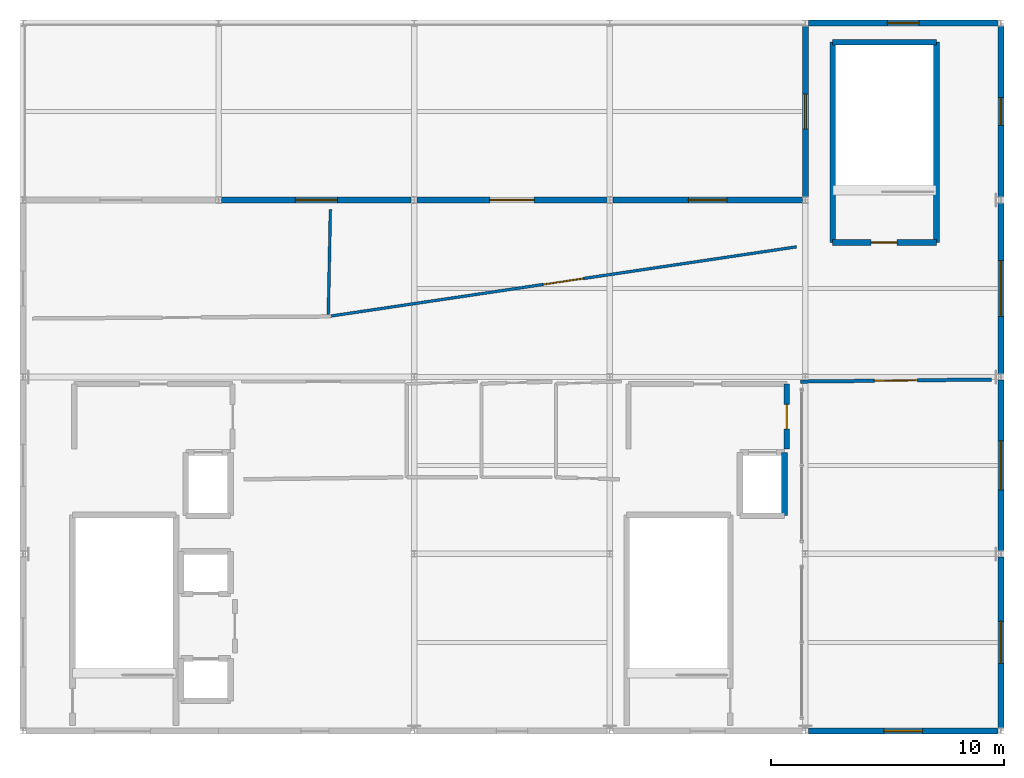
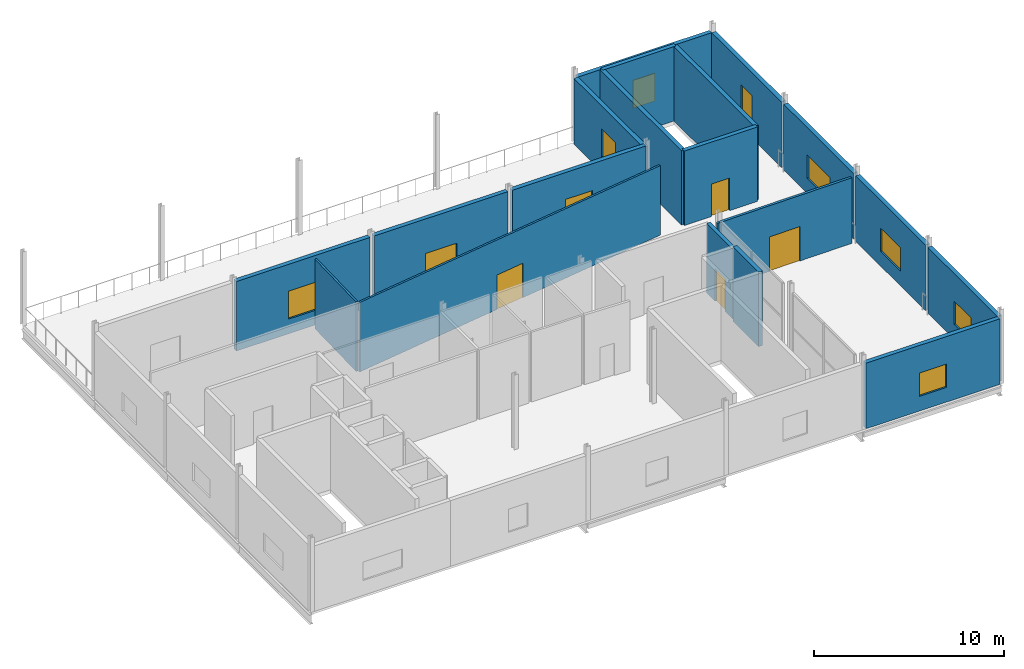
# One storey, part 7 of 8: 19 walls, 9 windows, 5 doors, 14 openings.
"""IFC4 building model written with IfcOpenShell, lengths in metres."""

from ifc_helpers import new_model, si_unit, direction, frame, frame_2d, origin, place, context, subcontext, project, spatial, rectangle, extrude, material, layer, layer_set, type_object, element, fill, save


model = new_model("IFC4")

# Units and contexts
model_context = context("Model", 3, precision=1e-05, world=origin(), true_north=direction((0.0, 1.0)))
body_context = subcontext(model_context, "Body", "Model", "MODEL_VIEW")
ifc_project = project(units=[si_unit("LENGTHUNIT", "METRE"), si_unit("AREAUNIT", "SQUARE_METRE"), si_unit("VOLUMEUNIT", "CUBIC_METRE"), si_unit("PLANEANGLEUNIT", "RADIAN"), si_unit("MASSUNIT", "GRAM", prefix="KILO")], contexts=[model_context])

# Site, building, storey
site_placement = place(None, origin())
site = spatial("IfcSite", under=ifc_project, at=site_placement, CompositionType="ELEMENT")
building_placement = place(site_placement, origin())
building = spatial("IfcBuilding", under=site, at=building_placement, Name="Zuvorla Pavilion Media Centre", CompositionType="ELEMENT")
storey_placement = place(building_placement, frame((0.0, 0.0, 26.39990234375)))
storey = spatial("IfcBuildingStorey", under=building, at=storey_placement, Name="L06", CompositionType="ELEMENT", Elevation=26.39990234375)

# Wall, opening, door
ifc_material_1 = material(Name="Acoustic masonry blockwork C32/40", Category="masonry")
ifc_layer_1 = layer(ifc_material_1, 0.219970703125)
ifc_layer_set_1 = layer_set([ifc_layer_1], Name="Acoustic masonry blockwork C32/40")
wall_type_1 = type_object("IfcWallType", Name="WL-CMP-220", PredefinedType="SOLIDWALL", material=ifc_layer_set_1)
wall_1_placement = place(storey_placement, frame((99.60009765625, 18.10009765625, 0.0), z_axis=(0.0, 0.0, 1.0), x_axis=(0.0, 1.0, 0.0)))
wall_1 = element("IfcWall", 1, at=wall_1_placement, inside=storey, type_object=wall_type_1, Name="L06 solid wall IW22 204", PredefinedType="SOLIDWALL", context=body_context, shape_type="SweptSolid", body=[
    extrude(rectangle(XDim=2.7998046875, YDim=0.219970703125, at=frame_2d((1.39990234375, 0.0))), origin(), (0.0, 0.0, 1.0), 4.47998046875),
])
opening_1_placement = place(wall_1_placement, frame((0.875, 0.0, 0.0)))
opening_1 = element("IfcOpeningElement", 2, at=opening_1_placement, cuts=wall_1, Name="Opening FD04", PredefinedType="OPENING", context=body_context, shape_type="SweptSolid", body=[
    extrude(rectangle(XDim=1.050048828125, YDim=2.10009765625, at=frame_2d((0.52490234375, 1.050048828125))), frame((0.0, 0.119873046875, 0.0), z_axis=(0.0, -1.0, 0.0), x_axis=(1.0, 0.0, 0.0)), (0.0, 0.0, 1.0), 0.239990234375),
])
ifc_material_2 = material(Name="Acoustic timber fire door leaf in steel frame", Category="steel")
door_type_1 = type_object("IfcDoorType", Name="DR-INT-FD04", OperationType="NOTDEFINED", PredefinedType="DOOR", material=ifc_material_2)
door_1_placement = place(opening_1_placement, origin())
door_1 = element("IfcDoor", 3, at=door_1_placement, inside=storey, type_object=door_type_1, Name="Firefighting lobby 2 access door FD04 80", OperationType="SINGLE_SWING_RIGHT", OverallHeight=2.10009765625, OverallWidth=1.050048828125, PredefinedType="DOOR", context=body_context, shape_type="SweptSolid", body=[
    extrude(rectangle(XDim=1.050048828125, YDim=2.10009765625, at=frame_2d((0.52490234375, 1.050048828125))), frame((0.0, 0.02490234375, 0.0), z_axis=(0.0, -1.0, 0.0), x_axis=(1.0, 0.0, 0.0)), (0.0, 0.0, 1.0), 0.050048828125),
])
fill(opening_1, door_1)

# Walls
ifc_material_3 = material(Name="Concrete C40/50", Category="concrete")
ifc_layer_2 = layer(ifc_material_3, 0.25)
ifc_layer_set_2 = layer_set([ifc_layer_2], Name="Concrete C40/50")
wall_type_2 = type_object("IfcWallType", Name="WL-COR-250", PredefinedType="SHEAR", material=ifc_layer_set_2)
wall_2_placement = place(storey_placement, frame((99.510009765625, 15.239990234375, 0.0), z_axis=(0.0, 0.0, 1.0), x_axis=(0.0, 1.0, 0.0)))
element("IfcWall", 4, at=wall_2_placement, inside=storey, type_object=wall_type_2, Name="L06 shear wall CW25 236", PredefinedType="SHEAR", context=body_context, shape_type="SweptSolid", body=[
    extrude(rectangle(XDim=2.719970703125, YDim=0.25, at=frame_2d((1.35986328125, 0.0))), origin(), (0.0, 0.0, 1.0), 4.800048828125),
])
for number, where, z_axis, x_axis, name in (
    (5, (101.574951171875, 26.97509765625, 0.0), (0.0, 0.0, 1.0), (0.0, 1.0, 0.0), "L06 shear wall CW25 329"),
    (6, (106.02490234375, 26.97509765625, 0.0), (0.0, 0.0, 1.0), (0.0, 1.0, 0.0), "L06 shear wall CW25 330"),
):
    element("IfcWall", number, at=place(storey_placement, frame(where, z_axis=z_axis, x_axis=x_axis)), inside=storey, type_object=wall_type_2, Name=name, PredefinedType="SHEAR", context=body_context, shape_type="SweptSolid", body=[
        extrude(rectangle(XDim=8.599853515625, YDim=0.25, at=frame_2d((4.2998046875, 0.0))), origin(), (0.0, 0.0, 1.0), 4.800048828125),
    ])
wall_3_placement = place(storey_placement, frame((101.574951171875, 35.574951171875, 0.0), z_axis=(0.0, 0.0, 1.0), x_axis=(1.0, 0.0, 0.0)))
element("IfcWall", 7, at=wall_3_placement, inside=storey, type_object=wall_type_2, Name="L06 shear wall CW25 331", PredefinedType="SHEAR", context=body_context, shape_type="SweptSolid", body=[
    extrude(rectangle(XDim=4.449951171875, YDim=0.25, at=frame_2d((2.22509765625, 0.0))), origin(), (0.0, 0.0, 1.0), 4.800048828125),
])

# Wall, opening, door
wall_4_placement = place(storey_placement, frame((101.574951171875, 26.97509765625, 0.0), z_axis=(0.0, 0.0, 1.0), x_axis=(1.0, 0.0, 0.0)))
wall_4 = element("IfcWall", 8, at=wall_4_placement, inside=storey, type_object=wall_type_2, Name="L06 shear wall CW25 332", PredefinedType="SHEAR", context=body_context, shape_type="SweptSolid", body=[
    extrude(rectangle(XDim=4.449951171875, YDim=0.25, at=frame_2d((2.22509765625, 0.0))), origin(), (0.0, 0.0, 1.0), 4.800048828125),
])
opening_2_placement = place(wall_4_placement, frame((1.64990234375, 0.0, 0.0)))
opening_2 = element("IfcOpeningElement", 9, at=opening_2_placement, cuts=wall_4, Name="Opening FD05", PredefinedType="OPENING", context=body_context, shape_type="SweptSolid", body=[
    extrude(rectangle(XDim=1.10009765625, YDim=2.10009765625, at=frame_2d((0.550048828125, 1.050048828125))), frame((0.0, 0.135009765625, 0.0), z_axis=(0.0, -1.0, 0.0), x_axis=(1.0, 0.0, 0.0)), (0.0, 0.0, 1.0), 0.27001953125),
])
door_type_2 = type_object("IfcDoorType", Name="DR-INT-FD05", OperationType="NOTDEFINED", PredefinedType="DOOR", material=ifc_material_2)
door_2_placement = place(opening_2_placement, frame((1.10009765625, 0.0, 0.0), z_axis=(0.0, 0.0, 1.0), x_axis=(-1.0, 0.0, 0.0)))
door_2 = element("IfcDoor", 10, at=door_2_placement, inside=storey, type_object=door_type_2, Name="Stair ST-04 fire door FD05 112", OperationType="SINGLE_SWING_RIGHT", OverallHeight=2.10009765625, OverallWidth=1.10009765625, PredefinedType="DOOR", context=body_context, shape_type="SweptSolid", body=[
    extrude(rectangle(XDim=1.10009765625, YDim=2.10009765625, at=frame_2d((0.550048828125, 1.050048828125))), frame((0.0, 0.02490234375, 0.0), z_axis=(0.0, -1.0, 0.0), x_axis=(1.0, 0.0, 0.0)), (0.0, 0.0, 1.0), 0.050048828125),
])
fill(opening_2, door_2)

# Wall, opening, window
ifc_material_4 = material(Name="White rendered concrete C32/40", Category="concrete")
ifc_layer_3 = layer(ifc_material_4, 0.260009765625)
ifc_layer_set_3 = layer_set([ifc_layer_3], Name="White rendered concrete C32/40")
wall_type_3 = type_object("IfcWallType", Name="WL-EXT-260", PredefinedType="SOLIDWALL", material=ifc_layer_set_3)
wall_5_placement = place(storey_placement, frame((100.5283203125, 6.0, 0.0), z_axis=(0.0, 0.0, 1.0), x_axis=(1.0, 0.0, 0.0)))
wall_5 = element("IfcWall", 11, at=wall_5_placement, inside=storey, type_object=wall_type_3, Name="L06 exterior solid wall EW04 324", PredefinedType="SOLIDWALL", context=body_context, shape_type="SweptSolid", body=[
    extrude(rectangle(XDim=8.1435546875, YDim=0.260009765625, at=frame_2d((4.07177734375, 0.0))), origin(), (0.0, 0.0, 1.0), 4.226806640625),
])
opening_3_placement = place(wall_5_placement, frame((3.246826171875, 0.0, 0.949951171875)))
opening_3 = element("IfcOpeningElement", 12, at=opening_3_placement, cuts=wall_5, Name="Opening WN04", PredefinedType="OPENING", context=body_context, shape_type="SweptSolid", body=[
    extrude(rectangle(XDim=1.64990234375, YDim=1.5, at=frame_2d((0.824951171875, 0.75))), frame((0.0, 0.139892578125, 0.0), z_axis=(0.0, -1.0, 0.0), x_axis=(1.0, 0.0, 0.0)), (0.0, 0.0, 1.0), 0.280029296875),
])
ifc_material_5 = material(Name="Anodised aluminium frame with solar double glazing", Category="aluminium")
window_type_1 = type_object("IfcWindowType", Name="WIN-WN04", PartitioningType="SINGLE_PANEL", PredefinedType="WINDOW", material=ifc_material_5)
window_1_placement = place(opening_3_placement, origin())
window_1 = element("IfcWindow", 13, at=window_1_placement, inside=storey, type_object=window_type_1, Name="L06 window WN04 144", OverallHeight=1.5, OverallWidth=1.64990234375, PartitioningType="SINGLE_PANEL", PredefinedType="WINDOW", context=body_context, shape_type="SweptSolid", body=[
    extrude(rectangle(XDim=1.64990234375, YDim=1.5, at=frame_2d((0.824951171875, 0.75))), frame((0.0, 0.030029296875, 0.0), z_axis=(0.0, -1.0, 0.0), x_axis=(1.0, 0.0, 0.0)), (0.0, 0.0, 1.0), 0.06005859375),
])
fill(opening_3, window_1)

wall_6_placement = place(storey_placement, frame((108.800048828125, 6.130126953125, 0.0), z_axis=(0.0, 0.0, 1.0), x_axis=(0.0, 1.0, 0.0)))
wall_6 = element("IfcWall", 14, at=wall_6_placement, inside=storey, type_object=wall_type_3, Name="L06 exterior solid wall EW04 325", PredefinedType="SOLIDWALL", context=body_context, shape_type="SweptSolid", body=[
    extrude(rectangle(XDim=7.339599609375, YDim=0.260009765625, at=frame_2d((3.669921875, 0.0))), origin(), (0.0, 0.0, 1.0), 4.226806640625),
])
opening_4_placement = place(wall_6_placement, frame((2.769775390625, 0.0, 0.949951171875)))
opening_4 = element("IfcOpeningElement", 15, at=opening_4_placement, cuts=wall_6, Name="Opening WN05", PredefinedType="OPENING", context=body_context, shape_type="SweptSolid", body=[
    extrude(rectangle(XDim=1.800048828125, YDim=1.5, at=frame_2d((0.89990234375, 0.75))), frame((0.0, 0.139892578125, 0.0), z_axis=(0.0, -1.0, 0.0), x_axis=(1.0, 0.0, 0.0)), (0.0, 0.0, 1.0), 0.280029296875),
])
window_type_2 = type_object("IfcWindowType", Name="WIN-WN05", PartitioningType="DOUBLE_PANEL_VERTICAL", PredefinedType="WINDOW", material=ifc_material_5)
window_2_placement = place(opening_4_placement, origin())
window_2 = element("IfcWindow", 16, at=window_2_placement, inside=storey, type_object=window_type_2, Name="L06 window WN05 145", OverallHeight=1.5, OverallWidth=1.800048828125, PartitioningType="DOUBLE_PANEL_VERTICAL", PredefinedType="WINDOW", context=body_context, shape_type="SweptSolid", body=[
    extrude(rectangle(XDim=1.800048828125, YDim=1.5, at=frame_2d((0.89990234375, 0.75))), frame((0.0, 0.030029296875, 0.0), z_axis=(0.0, -1.0, 0.0), x_axis=(1.0, 0.0, 0.0)), (0.0, 0.0, 1.0), 0.06005859375),
])
fill(opening_4, window_2)

wall_7_placement = place(storey_placement, frame((108.800048828125, 13.730224609375, 0.0), z_axis=(0.0, 0.0, 1.0), x_axis=(0.0, 1.0, 0.0)))
wall_7 = element("IfcWall", 17, at=wall_7_placement, inside=storey, type_object=wall_type_3, Name="L06 exterior solid wall EW04 326", PredefinedType="SOLIDWALL", context=body_context, shape_type="SweptSolid", body=[
    extrude(rectangle(XDim=7.339599609375, YDim=0.260009765625, at=frame_2d((3.669921875, 0.0))), origin(), (0.0, 0.0, 1.0), 4.226806640625),
])
opening_5_placement = place(wall_7_placement, frame((2.619873046875, 0.0, 0.949951171875)))
opening_5 = element("IfcOpeningElement", 18, at=opening_5_placement, cuts=wall_7, Name="Opening WN06", PredefinedType="OPENING", context=body_context, shape_type="SweptSolid", body=[
    extrude(rectangle(XDim=2.10009765625, YDim=1.5, at=frame_2d((1.050048828125, 0.75))), frame((0.0, 0.139892578125, 0.0), z_axis=(0.0, -1.0, 0.0), x_axis=(1.0, 0.0, 0.0)), (0.0, 0.0, 1.0), 0.280029296875),
])
window_type_3 = type_object("IfcWindowType", Name="WIN-WN06", PartitioningType="DOUBLE_PANEL_VERTICAL", PredefinedType="WINDOW", material=ifc_material_5)
window_3_placement = place(opening_5_placement, origin())
window_3 = element("IfcWindow", 19, at=window_3_placement, inside=storey, type_object=window_type_3, Name="L06 window WN06 146", OverallHeight=1.5, OverallWidth=2.10009765625, PartitioningType="DOUBLE_PANEL_VERTICAL", PredefinedType="WINDOW", context=body_context, shape_type="SweptSolid", body=[
    extrude(rectangle(XDim=2.10009765625, YDim=1.5, at=frame_2d((1.050048828125, 0.75))), frame((0.0, 0.030029296875, 0.0), z_axis=(0.0, -1.0, 0.0), x_axis=(1.0, 0.0, 0.0)), (0.0, 0.0, 1.0), 0.06005859375),
])
fill(opening_5, window_3)

wall_8_placement = place(storey_placement, frame((108.800048828125, 21.330078125, 0.0), z_axis=(0.0, 0.0, 1.0), x_axis=(0.0, 1.0, 0.0)))
wall_8 = element("IfcWall", 20, at=wall_8_placement, inside=storey, type_object=wall_type_3, Name="L06 exterior solid wall EW04 327", PredefinedType="SOLIDWALL", context=body_context, shape_type="SweptSolid", body=[
    extrude(rectangle(XDim=7.33984375, YDim=0.260009765625, at=frame_2d((3.669921875, 0.0))), origin(), (0.0, 0.0, 1.0), 4.226806640625),
])
opening_6_placement = place(wall_8_placement, frame((2.469970703125, 0.0, 0.949951171875)))
opening_6 = element("IfcOpeningElement", 21, at=opening_6_placement, cuts=wall_8, Name="Opening WN07", PredefinedType="OPENING", context=body_context, shape_type="SweptSolid", body=[
    extrude(rectangle(XDim=2.39990234375, YDim=1.5, at=frame_2d((1.199951171875, 0.75))), frame((0.0, 0.139892578125, 0.0), z_axis=(0.0, -1.0, 0.0), x_axis=(1.0, 0.0, 0.0)), (0.0, 0.0, 1.0), 0.280029296875),
])
window_type_4 = type_object("IfcWindowType", Name="WIN-WN07", PartitioningType="DOUBLE_PANEL_VERTICAL", PredefinedType="WINDOW", material=ifc_material_5)
window_4_placement = place(opening_6_placement, origin())
window_4 = element("IfcWindow", 22, at=window_4_placement, inside=storey, type_object=window_type_4, Name="L06 window WN07 147", OverallHeight=1.5, OverallWidth=2.39990234375, PartitioningType="DOUBLE_PANEL_VERTICAL", PredefinedType="WINDOW", context=body_context, shape_type="SweptSolid", body=[
    extrude(rectangle(XDim=2.39990234375, YDim=1.5, at=frame_2d((1.199951171875, 0.75))), frame((0.0, 0.030029296875, 0.0), z_axis=(0.0, -1.0, 0.0), x_axis=(1.0, 0.0, 0.0)), (0.0, 0.0, 1.0), 0.06005859375),
])
fill(opening_6, window_4)

wall_9_placement = place(storey_placement, frame((108.800048828125, 28.93017578125, 0.0), z_axis=(0.0, 0.0, 1.0), x_axis=(0.0, 1.0, 0.0)))
wall_9 = element("IfcWall", 23, at=wall_9_placement, inside=storey, type_object=wall_type_3, Name="L06 exterior solid wall EW04 328", PredefinedType="SOLIDWALL", context=body_context, shape_type="SweptSolid", body=[
    extrude(rectangle(XDim=7.339599609375, YDim=0.260009765625, at=frame_2d((3.669921875, 0.0))), origin(), (0.0, 0.0, 1.0), 4.226806640625),
])
opening_7_placement = place(wall_9_placement, frame((3.06982421875, 0.0, 0.949951171875)))
opening_7 = element("IfcOpeningElement", 24, at=opening_7_placement, cuts=wall_9, Name="Opening WN08", PredefinedType="OPENING", context=body_context, shape_type="SweptSolid", body=[
    extrude(rectangle(XDim=1.199951171875, YDim=1.800048828125, at=frame_2d((0.60009765625, 0.89990234375))), frame((0.0, 0.139892578125, 0.0), z_axis=(0.0, -1.0, 0.0), x_axis=(1.0, 0.0, 0.0)), (0.0, 0.0, 1.0), 0.280029296875),
])
window_type_5 = type_object("IfcWindowType", Name="WIN-WN08", PartitioningType="SINGLE_PANEL", PredefinedType="WINDOW", material=ifc_material_5)
window_5_placement = place(opening_7_placement, origin())
window_5 = element("IfcWindow", 25, at=window_5_placement, inside=storey, type_object=window_type_5, Name="L06 window WN08 148", OverallHeight=1.800048828125, OverallWidth=1.199951171875, PartitioningType="SINGLE_PANEL", PredefinedType="WINDOW", context=body_context, shape_type="SweptSolid", body=[
    extrude(rectangle(XDim=1.199951171875, YDim=1.800048828125, at=frame_2d((0.60009765625, 0.89990234375))), frame((0.0, 0.030029296875, 0.0), z_axis=(0.0, -1.0, 0.0), x_axis=(1.0, 0.0, 0.0)), (0.0, 0.0, 1.0), 0.06005859375),
])
fill(opening_7, window_5)

wall_10_placement = place(storey_placement, frame((108.671875, 36.39990234375, 0.0), z_axis=(0.0, 0.0, 1.0), x_axis=(-1.0, 0.0, 0.0)))
wall_10 = element("IfcWall", 26, at=wall_10_placement, inside=storey, type_object=wall_type_3, Name="L06 exterior solid wall EW04 329", PredefinedType="SOLIDWALL", context=body_context, shape_type="SweptSolid", body=[
    extrude(rectangle(XDim=8.1435546875, YDim=0.260009765625, at=frame_2d((4.07177734375, 0.0))), origin(), (0.0, 0.0, 1.0), 4.226806640625),
])
opening_8_placement = place(wall_10_placement, frame((3.396728515625, 0.0, 0.949951171875)))
opening_8 = element("IfcOpeningElement", 27, at=opening_8_placement, cuts=wall_10, Name="Opening WN09", PredefinedType="OPENING", context=body_context, shape_type="SweptSolid", body=[
    extrude(rectangle(XDim=1.35009765625, YDim=1.800048828125, at=frame_2d((0.675048828125, 0.89990234375))), frame((0.0, 0.139892578125, 0.0), z_axis=(0.0, -1.0, 0.0), x_axis=(1.0, 0.0, 0.0)), (0.0, 0.0, 1.0), 0.280029296875),
])
window_type_6 = type_object("IfcWindowType", Name="WIN-WN09", PartitioningType="SINGLE_PANEL", PredefinedType="WINDOW", material=ifc_material_5)
window_6_placement = place(opening_8_placement, origin())
window_6 = element("IfcWindow", 28, at=window_6_placement, inside=storey, type_object=window_type_6, Name="L06 window WN09 149", OverallHeight=1.800048828125, OverallWidth=1.35009765625, PartitioningType="SINGLE_PANEL", PredefinedType="WINDOW", context=body_context, shape_type="SweptSolid", body=[
    extrude(rectangle(XDim=1.35009765625, YDim=1.800048828125, at=frame_2d((0.675048828125, 0.89990234375))), frame((0.0, 0.030029296875, 0.0), z_axis=(0.0, -1.0, 0.0), x_axis=(1.0, 0.0, 0.0)), (0.0, 0.0, 1.0), 0.06005859375),
])
fill(opening_8, window_6)

wall_11_placement = place(storey_placement, frame((100.39990234375, 36.269775390625, 0.0), z_axis=(0.0, 0.0, 1.0), x_axis=(0.0, -1.0, 0.0)))
wall_11 = element("IfcWall", 29, at=wall_11_placement, inside=storey, type_object=wall_type_3, Name="L06 exterior solid wall EW04 330", PredefinedType="SOLIDWALL", context=body_context, shape_type="SweptSolid", body=[
    extrude(rectangle(XDim=7.339599609375, YDim=0.260009765625, at=frame_2d((3.669921875, 0.0))), origin(), (0.0, 0.0, 1.0), 4.226806640625),
])
opening_9_placement = place(wall_11_placement, frame((2.919921875, 0.0, 0.949951171875)))
opening_9 = element("IfcOpeningElement", 30, at=opening_9_placement, cuts=wall_11, Name="Opening WN10", PredefinedType="OPENING", context=body_context, shape_type="SweptSolid", body=[
    extrude(rectangle(XDim=1.5, YDim=1.800048828125, at=frame_2d((0.75, 0.89990234375))), frame((0.0, 0.139892578125, 0.0), z_axis=(0.0, -1.0, 0.0), x_axis=(1.0, 0.0, 0.0)), (0.0, 0.0, 1.0), 0.280029296875),
])
window_type_7 = type_object("IfcWindowType", Name="WIN-WN10", PartitioningType="SINGLE_PANEL", PredefinedType="WINDOW", material=ifc_material_5)
window_7_placement = place(opening_9_placement, origin())
window_7 = element("IfcWindow", 31, at=window_7_placement, inside=storey, type_object=window_type_7, Name="L06 window WN10 150", OverallHeight=1.800048828125, OverallWidth=1.5, PartitioningType="SINGLE_PANEL", PredefinedType="WINDOW", context=body_context, shape_type="SweptSolid", body=[
    extrude(rectangle(XDim=1.5, YDim=1.800048828125, at=frame_2d((0.75, 0.89990234375))), frame((0.0, 0.030029296875, 0.0), z_axis=(0.0, -1.0, 0.0), x_axis=(1.0, 0.0, 0.0)), (0.0, 0.0, 1.0), 0.06005859375),
])
fill(opening_9, window_7)

wall_12_placement = place(storey_placement, frame((100.27197265625, 28.800048828125, 0.0), z_axis=(0.0, 0.0, 1.0), x_axis=(-1.0, 0.0, 0.0)))
wall_12 = element("IfcWall", 32, at=wall_12_placement, inside=storey, type_object=wall_type_3, Name="L06 exterior solid wall EW04 331", PredefinedType="SOLIDWALL", context=body_context, shape_type="SweptSolid", body=[
    extrude(rectangle(XDim=8.143798828125, YDim=0.260009765625, at=frame_2d((4.07177734375, 0.0))), origin(), (0.0, 0.0, 1.0), 4.47998046875),
])
opening_10_placement = place(wall_12_placement, frame((3.246826171875, 0.0, 0.949951171875)))
opening_10 = element("IfcOpeningElement", 33, at=opening_10_placement, cuts=wall_12, Name="Opening WN11", PredefinedType="OPENING", context=body_context, shape_type="SweptSolid", body=[
    extrude(rectangle(XDim=1.64990234375, YDim=1.800048828125, at=frame_2d((0.824951171875, 0.89990234375))), frame((0.0, 0.139892578125, 0.0), z_axis=(0.0, -1.0, 0.0), x_axis=(1.0, 0.0, 0.0)), (0.0, 0.0, 1.0), 0.280029296875),
])
window_type_8 = type_object("IfcWindowType", Name="WIN-WN11", PartitioningType="SINGLE_PANEL", PredefinedType="WINDOW", material=ifc_material_5)
window_8_placement = place(opening_10_placement, origin())
window_8 = element("IfcWindow", 34, at=window_8_placement, inside=storey, type_object=window_type_8, Name="L06 window WN11 151", OverallHeight=1.800048828125, OverallWidth=1.64990234375, PartitioningType="SINGLE_PANEL", PredefinedType="WINDOW", context=body_context, shape_type="SweptSolid", body=[
    extrude(rectangle(XDim=1.64990234375, YDim=1.800048828125, at=frame_2d((0.824951171875, 0.89990234375))), frame((0.0, 0.030029296875, 0.0), z_axis=(0.0, -1.0, 0.0), x_axis=(1.0, 0.0, 0.0)), (0.0, 0.0, 1.0), 0.06005859375),
])
fill(opening_10, window_8)

# Wall, opening, door
wall_13_placement = place(storey_placement, frame((91.871826171875, 28.800048828125, 0.0), z_axis=(0.0, 0.0, 1.0), x_axis=(-1.0, 0.0, 0.0)))
wall_13 = element("IfcWall", 35, at=wall_13_placement, inside=storey, type_object=wall_type_3, Name="L06 exterior solid wall EW04 332", PredefinedType="SOLIDWALL", context=body_context, shape_type="SweptSolid", body=[
    extrude(rectangle(XDim=8.143798828125, YDim=0.260009765625, at=frame_2d((4.07177734375, 0.0))), origin(), (0.0, 0.0, 1.0), 4.47998046875),
])
opening_11_placement = place(wall_13_placement, frame((3.121826171875, 0.0, 0.0)))
opening_11 = element("IfcOpeningElement", 36, at=opening_11_placement, cuts=wall_13, Name="Opening ED05", PredefinedType="OPENING", context=body_context, shape_type="SweptSolid", body=[
    extrude(rectangle(XDim=1.89990234375, YDim=2.25, at=frame_2d((0.949951171875, 1.125))), frame((0.0, 0.139892578125, 0.0), z_axis=(0.0, -1.0, 0.0), x_axis=(1.0, 0.0, 0.0)), (0.0, 0.0, 1.0), 0.280029296875),
])
ifc_material_6 = material(Name="Anodised aluminium lounge terrace door", Category="aluminium")
door_type_3 = type_object("IfcDoorType", Name="DR-EXT-190x225", OperationType="NOTDEFINED", PredefinedType="DOOR", material=ifc_material_6)
door_3_placement = place(opening_11_placement, frame((1.89990234375, 0.0, 0.0), z_axis=(0.0, 0.0, 1.0), x_axis=(-1.0, 0.0, 0.0)))
door_3 = element("IfcDoor", 37, at=door_3_placement, inside=storey, type_object=door_type_3, Name="Terrace Entrance Door DR-EXT-L06-025", OperationType="DOUBLE_DOOR_SINGLE_SWING", OverallHeight=2.25, OverallWidth=1.89990234375, PredefinedType="DOOR", context=body_context, shape_type="SweptSolid", body=[
    extrude(rectangle(XDim=1.89990234375, YDim=2.25, at=frame_2d((0.949951171875, 1.125))), frame((0.0, 0.02490234375, 0.0), z_axis=(0.0, -1.0, 0.0), x_axis=(1.0, 0.0, 0.0)), (0.0, 0.0, 1.0), 0.050048828125),
])
fill(opening_11, door_3)

# Wall, opening, window
wall_14_placement = place(storey_placement, frame((83.4716796875, 28.800048828125, 0.0), z_axis=(0.0, 0.0, 1.0), x_axis=(-1.0, 0.0, 0.0)))
wall_14 = element("IfcWall", 38, at=wall_14_placement, inside=storey, type_object=wall_type_3, Name="L06 exterior solid wall EW04 333", PredefinedType="SOLIDWALL", context=body_context, shape_type="SweptSolid", body=[
    extrude(rectangle(XDim=8.1435546875, YDim=0.260009765625, at=frame_2d((4.07177734375, 0.0))), origin(), (0.0, 0.0, 1.0), 4.47998046875),
])
opening_12_placement = place(wall_14_placement, frame((3.171875, 0.0, 0.949951171875)))
opening_12 = element("IfcOpeningElement", 39, at=opening_12_placement, cuts=wall_14, Name="Opening WN12", PredefinedType="OPENING", context=body_context, shape_type="SweptSolid", body=[
    extrude(rectangle(XDim=1.800048828125, YDim=1.800048828125, at=frame_2d((0.89990234375, 0.89990234375))), frame((0.0, 0.139892578125, 0.0), z_axis=(0.0, -1.0, 0.0), x_axis=(1.0, 0.0, 0.0)), (0.0, 0.0, 1.0), 0.280029296875),
])
window_type_9 = type_object("IfcWindowType", Name="WIN-WN12", PartitioningType="DOUBLE_PANEL_VERTICAL", PredefinedType="WINDOW", material=ifc_material_5)
window_9_placement = place(opening_12_placement, origin())
window_9 = element("IfcWindow", 40, at=window_9_placement, inside=storey, type_object=window_type_9, Name="L06 window WN12 152", OverallHeight=1.800048828125, OverallWidth=1.800048828125, PartitioningType="DOUBLE_PANEL_VERTICAL", PredefinedType="WINDOW", context=body_context, shape_type="SweptSolid", body=[
    extrude(rectangle(XDim=1.800048828125, YDim=1.800048828125, at=frame_2d((0.89990234375, 0.89990234375))), frame((0.0, 0.030029296875, 0.0), z_axis=(0.0, -1.0, 0.0), x_axis=(1.0, 0.0, 0.0)), (0.0, 0.0, 1.0), 0.06005859375),
])
fill(opening_12, window_9)

# Wall, opening, door
ifc_material_7 = material(Name="Lightweight gypsum partition")
ifc_layer_4 = layer(ifc_material_7, 0.1201171875)
ifc_layer_set_4 = layer_set([ifc_layer_4], Name="Lightweight gypsum partition")
wall_type_4 = type_object("IfcWallType", Name="WL-PRT-120", PredefinedType="PARTITIONING", material=ifc_layer_set_4)
wall_15_placement = place(storey_placement, frame((79.989501953125, 23.811767578125, 0.0), z_axis=(0.0, 0.0, 1.0), x_axis=(0.989140649327, 0.146972024034, 0.0)))
wall_15 = element("IfcWall", 41, at=wall_15_placement, inside=storey, type_object=wall_type_4, Name="L06 partition PT12 573", PredefinedType="PARTITIONING", context=body_context, shape_type="SweptSolid", body=[
    extrude(rectangle(XDim=20.2509765625, YDim=0.1201171875, at=frame_2d((10.12548828125, 0.0))), origin(), (0.0, 0.0, 1.0), 4.47998046875),
])
opening_13_placement = place(wall_15_placement, frame((9.25048828125, 0.0, 0.0)))
opening_13 = element("IfcOpeningElement", 42, at=opening_13_placement, cuts=wall_15, Name="Opening ID11", PredefinedType="OPENING", context=body_context, shape_type="SweptSolid", body=[
    extrude(rectangle(XDim=1.75, YDim=2.219970703125, at=frame_2d((0.875, 1.10986328125))), frame((0.0, 0.070068359375, 0.0), z_axis=(0.0, -1.0, 0.0), x_axis=(1.0, 0.0, 0.0)), (0.0, 0.0, 1.0), 0.14013671875),
])
ifc_material_8 = material(Name="Hardwood acoustic studio door in anodised frame", Category="wood")
door_type_4 = type_object("IfcDoorType", Name="DR-UNR-ID11", OperationType="NOTDEFINED", PredefinedType="DOOR", material=ifc_material_8)
door_4_placement = place(opening_13_placement, origin())
door_4 = element("IfcDoor", 43, at=door_4_placement, inside=storey, type_object=door_type_4, Name="Interior door ID11 259", OperationType="DOUBLE_DOOR_SINGLE_SWING", OverallHeight=2.219970703125, OverallWidth=1.75, PredefinedType="DOOR", context=body_context, shape_type="SweptSolid", body=[
    extrude(rectangle(XDim=1.75, YDim=2.219970703125, at=frame_2d((0.875, 1.10986328125))), frame((0.0, 0.02490234375, 0.0), z_axis=(0.0, -1.0, 0.0), x_axis=(1.0, 0.0, 0.0)), (0.0, 0.0, 1.0), 0.050048828125),
])
fill(opening_13, door_4)

# Wall
wall_16_placement = place(storey_placement, frame((80.0, 28.39990234375, 0.0), z_axis=(0.0, 0.0, 1.0), x_axis=(-0.019592405903, -0.999808050393, 0.0)))
element("IfcWall", 44, at=wall_16_placement, inside=storey, type_object=wall_type_4, Name="L06 partition PT12 582", PredefinedType="PARTITIONING", context=body_context, shape_type="SweptSolid", body=[
    extrude(rectangle(XDim=4.510986328125, YDim=0.1201171875, at=frame_2d((2.25537109375, 0.0))), origin(), (0.0, 0.0, 1.0), 4.47998046875),
])

# Wall, opening, door
ifc_material_9 = material(Name="Acoustic gypsum stud partition")
ifc_layer_5 = layer(ifc_material_9, 0.14990234375)
ifc_layer_set_5 = layer_set([ifc_layer_5], Name="Acoustic gypsum stud partition")
wall_type_5 = type_object("IfcWallType", Name="WL-PRT-150", PredefinedType="PARTITIONING", material=ifc_layer_set_5)
wall_17_placement = place(storey_placement, frame((108.39990234375, 21.090087890625, 0.0), z_axis=(0.0, 0.0, 1.0), x_axis=(-0.99994123637, -0.010840839733, 0.0)))
wall_17 = element("IfcWall", 45, at=wall_17_placement, inside=storey, type_object=wall_type_5, Name="L06 partition PT15 574", PredefinedType="PARTITIONING", context=body_context, shape_type="SweptSolid", body=[
    extrude(rectangle(XDim=8.219970703125, YDim=0.14990234375, at=frame_2d((4.10986328125, 0.0))), origin(), (0.0, 0.0, 1.0), 4.226806640625),
])
opening_14_placement = place(wall_17_placement, frame((3.18505859375, 0.0, 0.0)))
opening_14 = element("IfcOpeningElement", 46, at=opening_14_placement, cuts=wall_17, Name="Opening ID12", PredefinedType="OPENING", context=body_context, shape_type="SweptSolid", body=[
    extrude(rectangle(XDim=1.85009765625, YDim=2.219970703125, at=frame_2d((0.925048828125, 1.10986328125))), frame((0.0, 0.0849609375, 0.0), z_axis=(0.0, -1.0, 0.0), x_axis=(1.0, 0.0, 0.0)), (0.0, 0.0, 1.0), 0.169921875),
])
door_type_5 = type_object("IfcDoorType", Name="DR-UNR-ID12", OperationType="NOTDEFINED", PredefinedType="DOOR", material=ifc_material_8)
door_5_placement = place(opening_14_placement, origin())
door_5 = element("IfcDoor", 47, at=door_5_placement, inside=storey, type_object=door_type_5, Name="Interior door ID12 260", OperationType="DOUBLE_DOOR_SINGLE_SWING", OverallHeight=2.219970703125, OverallWidth=1.85009765625, PredefinedType="DOOR", context=body_context, shape_type="SweptSolid", body=[
    extrude(rectangle(XDim=1.85009765625, YDim=2.219970703125, at=frame_2d((0.925048828125, 1.10986328125))), frame((0.0, 0.02490234375, 0.0), z_axis=(0.0, -1.0, 0.0), x_axis=(1.0, 0.0, 0.0)), (0.0, 0.0, 1.0), 0.050048828125),
])
fill(opening_14, door_5)

save(model, "model.ifc")
